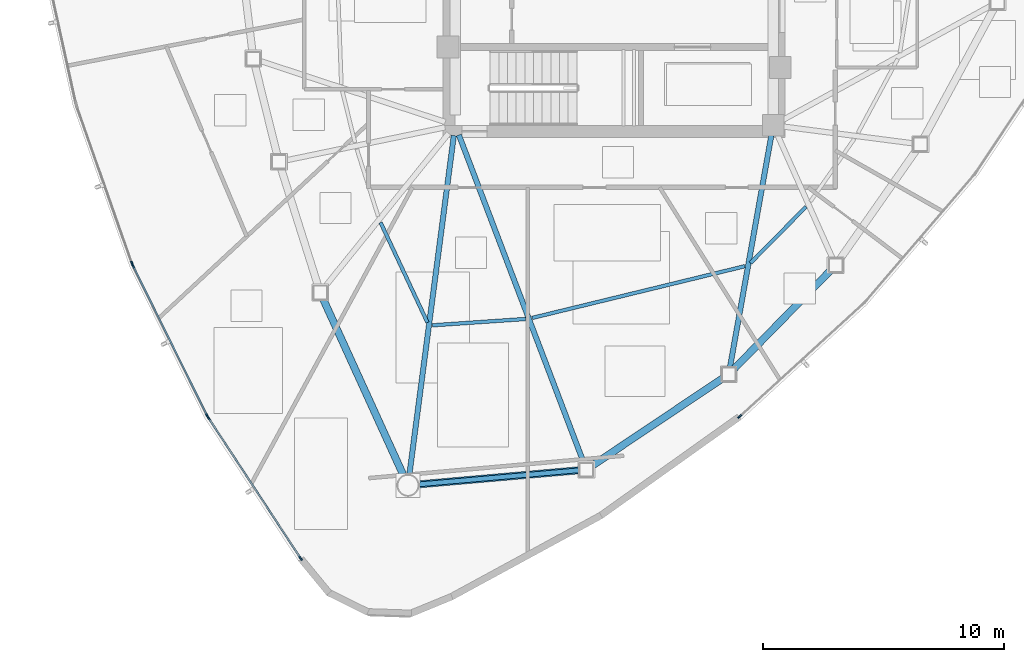
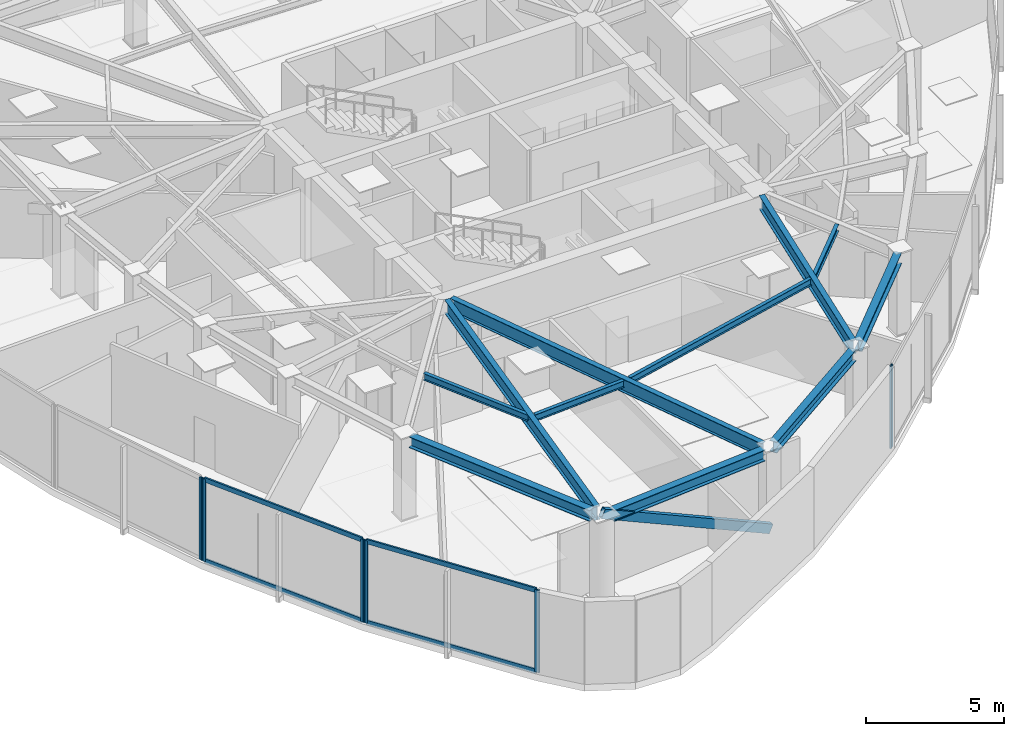
# One storey, part 2 of 14: 11 beams, 11 members, 4 elements without a shape of their own.
"""IFC4 building model written with IfcOpenShell, lengths in metres."""

from ifc_helpers import new_model, si_unit, direction, frame, origin, origin_2d, place, context, subcontext, project, spatial, hollow_rectangle, i_section, extrude, source, transform, mapped, material, layer, layer_set, material_profile, profile_set, type_object, type_shapes, element, aggregate, save


model = new_model("IFC4")

# Units and contexts
model_context = context("Model", 3, precision=1e-05, world=origin(), true_north=direction((0.0, 1.0)))
body_context = subcontext(model_context, "Body", "Model", "MODEL_VIEW")
ifc_project = project(units=[si_unit("LENGTHUNIT", "METRE"), si_unit("AREAUNIT", "SQUARE_METRE"), si_unit("VOLUMEUNIT", "CUBIC_METRE"), si_unit("PLANEANGLEUNIT", "RADIAN"), si_unit("MASSUNIT", "GRAM", prefix="KILO")], contexts=[model_context])

# Site, building, storey
site_placement = place(None, origin())
site = spatial("IfcSite", under=ifc_project, at=site_placement, CompositionType="ELEMENT")
building_placement = place(site_placement, origin())
building = spatial("IfcBuilding", under=site, at=building_placement, Name="Tavelor Broadcast Tower", CompositionType="ELEMENT")
storey_placement = place(building_placement, frame((0.0, 0.0, 234.0)))
storey = spatial("IfcBuildingStorey", under=building, at=storey_placement, Name="L55", CompositionType="ELEMENT", Elevation=234.0)

# Beams
ifc_material_1 = material(Name="Steel S355", Category="steel")
ifc_material_profile_1 = material_profile(ifc_material_1, i_section(OverallWidth=0.14990234375, OverallDepth=0.300048828125, WebThickness=0.007080078125, FlangeThickness=0.0107421875, at=origin_2d()), Name="IPE 300")
ifc_profile_set_1 = profile_set([ifc_material_profile_1], Name="Steel S355")
beam_type_1 = type_object("IfcBeamType", Name="Composite Floor Joist T5 IPE 300", PredefinedType="JOIST", material=ifc_profile_set_1)
beam_1_placement = place(storey_placement, frame((40.303466796875, 34.76123046875, 3.5), z_axis=(0.424747696097, -0.905311766553, 0.0), x_axis=(0.905311766553, 0.424747696097, 0.0)))
element("IfcBeam", 1, at=beam_1_placement, inside=storey, type_object=beam_type_1, Name="L55 Secondary Composite Floor Joist 06", PredefinedType="JOIST", context=body_context, shape_type="SweptSolid", body=[
    extrude(i_section(OverallWidth=0.14990234375, OverallDepth=0.300048828125, WebThickness=0.007080078125, FlangeThickness=0.0107421875, at=origin_2d()), origin(), (0.0, 0.0, 1.0), 4.583984375),
])
beam_2_placement = place(storey_placement, frame((42.44873046875, 30.49462890625, 3.5), z_axis=(0.997688348821, 0.067955563618, 0.0), x_axis=(-0.067955563618, 0.997688348821, 0.0)))
element("IfcBeam", 2, at=beam_2_placement, inside=storey, type_object=beam_type_1, Name="L55 Secondary Composite Floor Joist 07", PredefinedType="JOIST", context=body_context, shape_type="SweptSolid", body=[
    extrude(i_section(OverallWidth=0.14990234375, OverallDepth=0.300048828125, WebThickness=0.007080078125, FlangeThickness=0.0107421875, at=origin_2d()), origin(), (0.0, 0.0, 1.0), 3.880126953125),
])
beam_3_placement = place(storey_placement, frame((46.59423828125, 30.80078125, 3.5), z_axis=(0.971661934331, 0.236374883124, 0.0), x_axis=(-0.236374883124, 0.971661934331, 0.0)))
element("IfcBeam", 3, at=beam_3_placement, inside=storey, type_object=beam_type_1, Name="L55 Secondary Composite Floor Joist 08", PredefinedType="JOIST", context=body_context, shape_type="SweptSolid", body=[
    extrude(i_section(OverallWidth=0.14990234375, OverallDepth=0.300048828125, WebThickness=0.007080078125, FlangeThickness=0.0107421875, at=origin_2d()), origin(), (0.0, 0.0, 1.0), 9.089111328125),
])
beam_4_placement = place(storey_placement, frame((55.6591796875, 33.081298828125, 3.5), z_axis=(0.702295555333, 0.711885491465, 0.0), x_axis=(-0.711885491465, 0.702295555333, 0.0)))
element("IfcBeam", 4, at=beam_4_placement, inside=storey, type_object=beam_type_1, Name="L55 Secondary Composite Floor Joist 09", PredefinedType="JOIST", context=body_context, shape_type="SweptSolid", body=[
    extrude(i_section(OverallWidth=0.14990234375, OverallDepth=0.300048828125, WebThickness=0.007080078125, FlangeThickness=0.0107421875, at=origin_2d()), origin(), (0.0, 0.0, 1.0), 3.2841796875),
])
ifc_material_profile_2 = material_profile(ifc_material_1, i_section(OverallWidth=0.300048828125, OverallDepth=0.489990234375, WebThickness=0.011962890625, FlangeThickness=0.02294921875, at=origin_2d()), Name="HEA 500")
ifc_profile_set_2 = profile_set([ifc_material_profile_2], Name="Steel S355")
beam_type_2 = type_object("IfcBeamType", Name="Perimeter Spandrel Beam T5 HEA 500", PredefinedType="SPANDREL", material=ifc_profile_set_2)
beam_5_placement = place(storey_placement, frame((37.91650390625, 31.59130859375, 3.405029296875), z_axis=(0.414437010202, -0.910077999171, 0.0), x_axis=(0.910077999171, 0.414437010202, 0.0)))
element("IfcBeam", 5, at=beam_5_placement, inside=storey, type_object=beam_type_2, Name="L55 Framed-Tube Ring Spandrel 06", PredefinedType="SPANDREL", context=body_context, shape_type="SweptSolid", body=[
    extrude(i_section(OverallWidth=0.300048828125, OverallDepth=0.489990234375, WebThickness=0.011962890625, FlangeThickness=0.02294921875, at=origin_2d()), origin(), (0.0, 0.0, 1.0), 8.0634765625),
])
beam_6_placement = place(storey_placement, frame((41.877197265625, 23.89208984375, 3.405029296875), z_axis=(0.996152506101, 0.087636662361, 0.0), x_axis=(-0.087636662361, 0.996152506101, 0.0)))
element("IfcBeam", 6, at=beam_6_placement, inside=storey, type_object=beam_type_2, Name="L55 Framed-Tube Ring Spandrel 07", PredefinedType="SPANDREL", context=body_context, shape_type="SweptSolid", body=[
    extrude(i_section(OverallWidth=0.300048828125, OverallDepth=0.489990234375, WebThickness=0.011962890625, FlangeThickness=0.02294921875, at=origin_2d()), origin(), (0.0, 0.0, 1.0), 6.70556640625),
])
beam_7_placement = place(storey_placement, frame((49.083251953125, 24.665283203125, 3.405029296875), z_axis=(0.830979943124, 0.556302376523, 0.0), x_axis=(-0.556302376523, 0.830979943124, 0.0)))
element("IfcBeam", 7, at=beam_7_placement, inside=storey, type_object=beam_type_2, Name="L55 Framed-Tube Ring Spandrel 08", PredefinedType="SPANDREL", context=body_context, shape_type="SweptSolid", body=[
    extrude(i_section(OverallWidth=0.300048828125, OverallDepth=0.489990234375, WebThickness=0.011962890625, FlangeThickness=0.02294921875, at=origin_2d()), origin(), (0.0, 0.0, 1.0), 6.536376953125),
])
beam_8_placement = place(storey_placement, frame((54.955810546875, 28.667236328125, 3.405029296875), z_axis=(0.70018873327, 0.713957798334, 0.0), x_axis=(-0.713957798334, 0.70018873327, 0.0)))
element("IfcBeam", 8, at=beam_8_placement, inside=storey, type_object=beam_type_2, Name="L55 Framed-Tube Ring Spandrel 09", PredefinedType="SPANDREL", context=body_context, shape_type="SweptSolid", body=[
    extrude(i_section(OverallWidth=0.300048828125, OverallDepth=0.489990234375, WebThickness=0.011962890625, FlangeThickness=0.02294921875, at=origin_2d()), origin(), (0.0, 0.0, 1.0), 5.7626953125),
])

# Member
ifc_material_profile_3 = material_profile(ifc_material_1, hollow_rectangle(XDim=0.199951171875, YDim=0.39990234375, WallThickness=0.01611328125, at=origin_2d()), Name="RHS 400x200x16")
ifc_profile_set_3 = profile_set([ifc_material_profile_3], Name="Steel S355")
member_type_1 = type_object("IfcMemberType", Name="Perimeter Tube Brace T5 RHS 400x200x16", PredefinedType="BRACE", material=ifc_profile_set_3)
member_1_placement = place(storey_placement, frame((48.843994140625, 24.5048828125, 0.0), z_axis=(-0.894155458176, -0.07863591001, 0.440797470808), x_axis=(0.087606208465, -0.996155184817, 0.0)))
element("IfcMember", 9, at=member_1_placement, inside=storey, type_object=member_type_1, Name="L55 Corner Tube Diagonal Brace 2", PredefinedType="BRACE", context=body_context, shape_type="SweptSolid", body=[
    extrude(hollow_rectangle(XDim=0.199951171875, YDim=0.39990234375, WallThickness=0.01611328125, at=origin_2d()), origin(), (0.0, 0.0, 1.0), 8.2802734375),
])

# Beams
ifc_material_profile_4 = material_profile(ifc_material_1, i_section(OverallWidth=0.219970703125, OverallDepth=0.60009765625, WebThickness=0.011962890625, FlangeThickness=0.01904296875, at=origin_2d()), Name="IPE 600")
ifc_profile_set_4 = profile_set([ifc_material_profile_4], Name="Steel S355")
beam_type_3 = type_object("IfcBeamType", Name="Radial Floor Girder T5 IPE 600", PredefinedType="BEAM", material=ifc_profile_set_4)
beam_9_placement = place(storey_placement, frame((43.34375, 38.37158203125, 3.35009765625), z_axis=(-0.130000517012, -0.991513926063, 0.0), x_axis=(0.991513926063, -0.130000517012, 0.0)))
element("IfcBeam", 10, at=beam_9_placement, inside=storey, type_object=beam_type_3, Name="L55 Radial Primary Floor Girder 07", PredefinedType="BEAM", context=body_context, shape_type="SweptSolid", body=[
    extrude(i_section(OverallWidth=0.219970703125, OverallDepth=0.60009765625, WebThickness=0.011962890625, FlangeThickness=0.01904296875, at=origin_2d()), origin(), (0.0, 0.0, 1.0), 14.203369140625),
])
beam_10_placement = place(storey_placement, frame((43.5537109375, 38.396240234375, 3.35009765625), z_axis=(0.355898513414, -0.934524610778, 0.0), x_axis=(0.934524610778, 0.355898513414, 0.0)))
element("IfcBeam", 11, at=beam_10_placement, inside=storey, type_object=beam_type_3, Name="L55 Radial Primary Floor Girder 08", PredefinedType="BEAM", context=body_context, shape_type="SweptSolid", body=[
    extrude(i_section(OverallWidth=0.219970703125, OverallDepth=0.60009765625, WebThickness=0.011962890625, FlangeThickness=0.01904296875, at=origin_2d()), origin(), (0.0, 0.0, 1.0), 14.576416015625),
])
beam_11_placement = place(storey_placement, frame((56.524169921875, 38.374755859375, 3.35009765625), z_axis=(-0.175781136437, -0.984429272255, 0.0), x_axis=(0.984429272255, -0.175781136437, 0.0)))
element("IfcBeam", 12, at=beam_11_placement, inside=storey, type_object=beam_type_3, Name="L55 Radial Primary Floor Girder 09", PredefinedType="BEAM", context=body_context, shape_type="SweptSolid", body=[
    extrude(i_section(OverallWidth=0.219970703125, OverallDepth=0.60009765625, WebThickness=0.011962890625, FlangeThickness=0.01904296875, at=origin_2d()), origin(), (0.0, 0.0, 1.0), 9.781982421875),
])

# Curtain wall, member
ifc_material_2 = material(Name="Architectural Anodized Aluminium", Category="aluminium")
ifc_layer = layer(ifc_material_2, 0.199951171875)
ifc_layer_set = layer_set([ifc_layer], Name="Architectural Anodized Aluminium")
curtain_wall_type = type_object("IfcCurtainWallType", Name="Tower High-Zone Triple-Glazed Curtain Wall CW04", PredefinedType="NOTDEFINED", material=ifc_layer_set)
curtain_wall_1_placement = place(storey_placement, origin())
curtain_wall_1 = element("IfcCurtainWall", 13, at=curtain_wall_1_placement, inside=storey, type_object=curtain_wall_type, Name="L55 Curtain Wall CW04 Run 590", PredefinedType="NOTDEFINED")
ifc_material_profile_5 = material_profile(ifc_material_2, hollow_rectangle(XDim=0.070068359375, YDim=0.199951171875, WallThickness=0.02197265625, at=origin_2d()), Name="RHS 70x200x22")
ifc_profile_set_5 = profile_set([ifc_material_profile_5], Name="Architectural Anodized Aluminium")
member_type_2 = type_object("IfcMemberType", Name="CW04 Extruded Aluminium Mullion 70x200", PredefinedType="MULLION", material=ifc_profile_set_5)
shared_shape_1 = source(origin(), body_context, "Body", "SweptSolid", [
    extrude(hollow_rectangle(XDim=0.070068359375, YDim=0.199951171875, WallThickness=0.02197265625, at=origin_2d()), origin(), (0.0, 0.0, 1.0), 3.64990234375),
])
type_shapes(member_type_2, [shared_shape_1])
member_2_placement = place(storey_placement, frame((29.98779296875, 33.058837890625, 0.0), z_axis=(0.0, 0.0, 1.0), x_axis=(0.943363909452, 0.331759753954, 0.0)))
member_2 = element("IfcMember", 14, at=member_2_placement, type_object=member_type_2, Name="CW04 mullion 2", PredefinedType="MULLION", context=body_context, shape_type="MappedRepresentation", body=[
    mapped(shared_shape_1, transform((0.0, 0.0, 0.0), scale=1.0)),
])
aggregate(curtain_wall_1, [member_2])

# Curtain wall, members
curtain_wall_2_placement = place(storey_placement, origin())
curtain_wall_2 = element("IfcCurtainWall", 15, at=curtain_wall_2_placement, inside=storey, type_object=curtain_wall_type, Name="L55 Curtain Wall CW04 Run 591", PredefinedType="NOTDEFINED")
member_3_placement = place(storey_placement, frame((30.026611328125, 32.966796875, 0.0), z_axis=(0.0, 0.0, 1.0), x_axis=(0.896282412369, 0.443483750861, 0.0)))
member_3 = element("IfcMember", 16, at=member_3_placement, type_object=member_type_2, Name="CW04 mullion 1", PredefinedType="MULLION", context=body_context, shape_type="MappedRepresentation", body=[
    mapped(shared_shape_1, transform((0.0, 0.0, 0.0), scale=1.0)),
])
member_4_placement = place(storey_placement, frame((33.109375, 26.736572265625, 0.0), z_axis=(0.0, 0.0, 1.0), x_axis=(0.896282412369, 0.443483750861, 0.0)))
member_4 = element("IfcMember", 17, at=member_4_placement, type_object=member_type_2, Name="CW04 mullion 2", PredefinedType="MULLION", context=body_context, shape_type="MappedRepresentation", body=[
    mapped(shared_shape_1, transform((0.0, 0.0, 0.0), scale=1.0)),
])

curtain_wall_3_placement = place(storey_placement, origin())
curtain_wall_3 = element("IfcCurtainWall", 18, at=curtain_wall_3_placement, inside=storey, type_object=curtain_wall_type, Name="L55 Curtain Wall CW04 Run 592", PredefinedType="NOTDEFINED")
member_5_placement = place(storey_placement, frame((33.15869140625, 26.650146484375, 0.0), z_axis=(0.0, 0.0, 1.0), x_axis=(0.836031614477, 0.548681273232, 0.0)))
member_5 = element("IfcMember", 19, at=member_5_placement, type_object=member_type_2, Name="CW04 mullion 1", PredefinedType="MULLION", context=body_context, shape_type="MappedRepresentation", body=[
    mapped(shared_shape_1, transform((0.0, 0.0, 0.0), scale=1.0)),
])
member_6_placement = place(storey_placement, frame((36.9814453125, 20.825439453125, 0.0), z_axis=(0.0, 0.0, 1.0), x_axis=(0.836031614477, 0.548681273232, 0.0)))
member_6 = element("IfcMember", 20, at=member_6_placement, type_object=member_type_2, Name="CW04 mullion 2", PredefinedType="MULLION", context=body_context, shape_type="MappedRepresentation", body=[
    mapped(shared_shape_1, transform((0.0, 0.0, 0.0), scale=1.0)),
])

# Curtain wall, member
curtain_wall_4_placement = place(storey_placement, origin())
curtain_wall_4 = element("IfcCurtainWall", 21, at=curtain_wall_4_placement, inside=storey, type_object=curtain_wall_type, Name="L55 Curtain Wall CW04 Run 593", PredefinedType="NOTDEFINED")
member_7_placement = place(storey_placement, frame((55.210205078125, 26.71044921875, 0.0), z_axis=(0.0, 0.0, 1.0), x_axis=(-0.674620773895, 0.738164488057, 0.0)))
member_7 = element("IfcMember", 22, at=member_7_placement, type_object=member_type_2, Name="CW04 mullion 1", PredefinedType="MULLION", context=body_context, shape_type="MappedRepresentation", body=[
    mapped(shared_shape_1, transform((0.0, 0.0, 0.0), scale=1.0)),
])
aggregate(curtain_wall_4, [member_7])

# Member
ifc_material_profile_6 = material_profile(ifc_material_2, hollow_rectangle(XDim=0.070068359375, YDim=0.199951171875, WallThickness=0.02197265625, at=origin_2d()), Name="RHS 70x200x22")
ifc_profile_set_6 = profile_set([ifc_material_profile_6], Name="Architectural Anodized Aluminium")
member_type_3 = type_object("IfcMemberType", Name="CW04 Extruded Aluminium Transom 70x200", PredefinedType="USERDEFINED", material=ifc_profile_set_6)
shared_shape_2 = source(origin(), body_context, "Body", "SweptSolid", [
    extrude(hollow_rectangle(XDim=0.070068359375, YDim=0.199951171875, WallThickness=0.02197265625, at=origin_2d()), origin(), (0.0, 0.0, 1.0), 6.880859375),
])
member_8_placement = place(storey_placement, frame((30.042236328125, 32.935302734375, 0.034912109375), z_axis=(0.443477099405, -0.896285703503, 0.0), x_axis=(0.896285703503, 0.443477099405, 0.0)))
member_8 = element("IfcMember", 23, at=member_8_placement, type_object=member_type_3, Name="CW04 transom 1.1", ObjectType="TRANSOM", PredefinedType="USERDEFINED", context=body_context, shape_type="MappedRepresentation", body=[
    mapped(shared_shape_2, transform((0.0, 0.0, 0.0), scale=1.0)),
])

member_9_placement = place(storey_placement, frame((30.042236328125, 32.935302734375, 3.614990234375), z_axis=(0.443477099405, -0.896285703503, 0.0), x_axis=(0.896285703503, 0.443477099405, 0.0)))
member_9 = element("IfcMember", 24, at=member_9_placement, type_object=member_type_3, Name="CW04 transom 1.2", ObjectType="TRANSOM", PredefinedType="USERDEFINED", context=body_context, shape_type="MappedRepresentation", body=[
    mapped(shared_shape_2, transform((0.0, 0.0, 0.0), scale=1.0)),
])

aggregate(curtain_wall_2, [member_3, member_4, member_8, member_9])

shared_shape_3 = source(origin(), body_context, "Body", "SweptSolid", [
    extrude(hollow_rectangle(XDim=0.070068359375, YDim=0.199951171875, WallThickness=0.02197265625, at=origin_2d()), origin(), (0.0, 0.0, 1.0), 6.897216796875),
])
type_shapes(member_type_3, [shared_shape_2, shared_shape_3])
member_10_placement = place(storey_placement, frame((33.177978515625, 26.620849609375, 0.034912109375), z_axis=(0.548698193057, -0.836020509878, 0.0), x_axis=(0.836020509878, 0.548698193057, 0.0)))
member_10 = element("IfcMember", 25, at=member_10_placement, type_object=member_type_3, Name="CW04 transom 1.1", ObjectType="TRANSOM", PredefinedType="USERDEFINED", context=body_context, shape_type="MappedRepresentation", body=[
    mapped(shared_shape_3, transform((0.0, 0.0, 0.0), scale=1.0)),
])

member_11_placement = place(storey_placement, frame((33.177978515625, 26.620849609375, 3.614990234375), z_axis=(0.548698193057, -0.836020509878, 0.0), x_axis=(0.836020509878, 0.548698193057, 0.0)))
member_11 = element("IfcMember", 26, at=member_11_placement, type_object=member_type_3, Name="CW04 transom 1.2", ObjectType="TRANSOM", PredefinedType="USERDEFINED", context=body_context, shape_type="MappedRepresentation", body=[
    mapped(shared_shape_3, transform((0.0, 0.0, 0.0), scale=1.0)),
])

aggregate(curtain_wall_3, [member_5, member_6, member_10, member_11])

save(model, "model.ifc")
